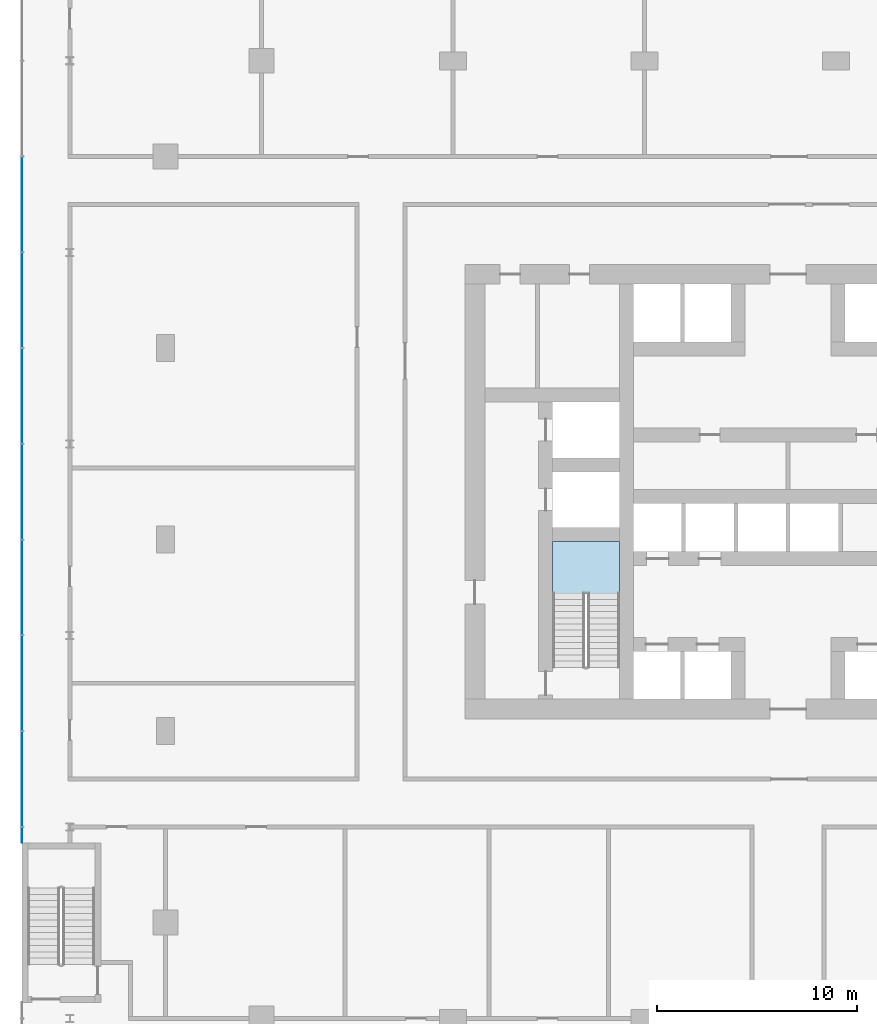
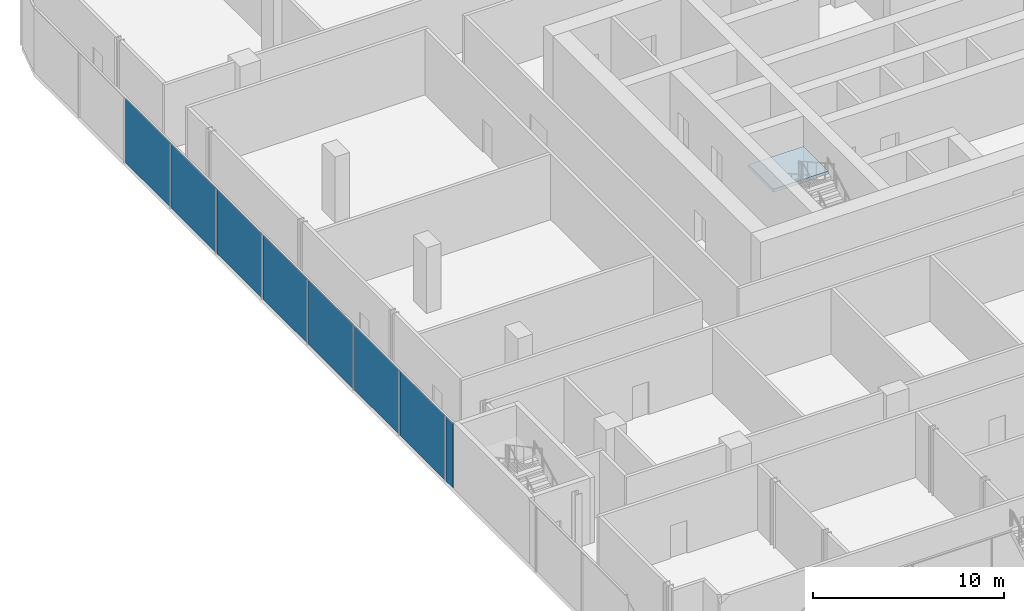
# One storey, part 23 of 38: 8 plates, 1 slab, 2 elements without a shape of their own.
"""IFC4 building model written with IfcOpenShell, lengths in metres."""

from ifc_helpers import new_model, si_unit, direction, frame, origin, origin_2d, place, context, subcontext, project, spatial, polyline, rectangle, outline, extrude, material, layer, layer_set, type_object, element, aggregate, save


model = new_model("IFC4")

# Units and contexts
model_context = context("Model", 3, precision=1e-05, world=origin(), true_north=direction((0.0, 1.0)))
body_context = subcontext(model_context, "Body", "Model", "MODEL_VIEW")
ifc_project = project(units=[si_unit("LENGTHUNIT", "METRE"), si_unit("AREAUNIT", "SQUARE_METRE"), si_unit("VOLUMEUNIT", "CUBIC_METRE"), si_unit("PLANEANGLEUNIT", "RADIAN"), si_unit("MASSUNIT", "GRAM", prefix="KILO")], contexts=[model_context])

# Site, building, storey
site_placement = place(None, origin())
site = spatial("IfcSite", under=ifc_project, at=site_placement, CompositionType="ELEMENT")
building_placement = place(site_placement, origin())
building = spatial("IfcBuilding", under=site, at=building_placement, Name="Madar Terraces", CompositionType="ELEMENT")
storey_placement = place(building_placement, frame((0.0, 0.0, 15.0)))
storey = spatial("IfcBuildingStorey", under=building, at=storey_placement, Name="L03", CompositionType="ELEMENT", Elevation=15.0)

# Curtain wall, plates
ifc_material_1 = material(Name="Glass, clear low-iron, with black aluminium frame", Category="aluminium")
ifc_layer_1 = layer(ifc_material_1, 0.199951171875)
ifc_layer_set_1 = layer_set([ifc_layer_1], Name="Facade curtain wall, shopfront glazing")
curtain_wall_type = type_object("IfcCurtainWallType", Name="Facade curtain wall, shopfront glazing", PredefinedType="NOTDEFINED", material=ifc_layer_set_1)
curtain_wall_placement = place(storey_placement, origin())
curtain_wall = element("IfcCurtainWall", 1, at=curtain_wall_placement, inside=storey, type_object=curtain_wall_type, Name="Outer skin curtain wall west bay 1", PredefinedType="NOTDEFINED")
ifc_material_2 = material(Name="Glass, ceramic frit dark grey", Category="glass")
ifc_layer_2 = layer(ifc_material_2, 0.028076171875)
ifc_layer_set_2 = layer_set([ifc_layer_2], Name="Facade glass panel 28")
plate_type = type_object("IfcPlateType", Name="Facade glass panel 28", PredefinedType="CURTAIN_PANEL", material=ifc_layer_set_2)
plate_1_placement = place(storey_placement, frame((-7.199951171875, 40.800048828125, 0.0), z_axis=(0.0, 0.0, 1.0), x_axis=(0.0, -1.0, 0.0)))
plate_1 = element("IfcPlate", 2, at=plate_1_placement, type_object=plate_type, Name="Panel 3", PredefinedType="CURTAIN_PANEL", context=body_context, shape_type="SweptSolid", body=[
    extrude(rectangle(XDim=4.739990234375, YDim=0.028076171875, at=origin_2d()), origin(), (0.0, 0.0, 1.0), 4.139892578125),
])
plate_2_placement = place(storey_placement, frame((-7.199951171875, 36.0, 0.0), z_axis=(0.0, 0.0, 1.0), x_axis=(0.0, -1.0, 0.0)))
plate_2 = element("IfcPlate", 3, at=plate_2_placement, type_object=plate_type, Name="Panel 4", PredefinedType="CURTAIN_PANEL", context=body_context, shape_type="SweptSolid", body=[
    extrude(rectangle(XDim=4.739990234375, YDim=0.028076171875, at=origin_2d()), origin(), (0.0, 0.0, 1.0), 4.139892578125),
])
plate_3_placement = place(storey_placement, frame((-7.199951171875, 31.199951171875, 0.0), z_axis=(0.0, 0.0, 1.0), x_axis=(0.0, -1.0, 0.0)))
plate_3 = element("IfcPlate", 4, at=plate_3_placement, type_object=plate_type, Name="Panel 5", PredefinedType="CURTAIN_PANEL", context=body_context, shape_type="SweptSolid", body=[
    extrude(rectangle(XDim=4.739990234375, YDim=0.028076171875, at=origin_2d()), origin(), (0.0, 0.0, 1.0), 4.139892578125),
])
plate_4_placement = place(storey_placement, frame((-7.199951171875, 26.39990234375, 0.0), z_axis=(0.0, 0.0, 1.0), x_axis=(0.0, -1.0, 0.0)))
plate_4 = element("IfcPlate", 5, at=plate_4_placement, type_object=plate_type, Name="Panel 6", PredefinedType="CURTAIN_PANEL", context=body_context, shape_type="SweptSolid", body=[
    extrude(rectangle(XDim=4.739990234375, YDim=0.028076171875, at=origin_2d()), origin(), (0.0, 0.0, 1.0), 4.139892578125),
])
plate_5_placement = place(storey_placement, frame((-7.199951171875, 21.60009765625, 0.0), z_axis=(0.0, 0.0, 1.0), x_axis=(0.0, -1.0, 0.0)))
plate_5 = element("IfcPlate", 6, at=plate_5_placement, type_object=plate_type, Name="Panel 7", PredefinedType="CURTAIN_PANEL", context=body_context, shape_type="SweptSolid", body=[
    extrude(rectangle(XDim=4.739990234375, YDim=0.028076171875, at=origin_2d()), origin(), (0.0, 0.0, 1.0), 4.139892578125),
])
plate_6_placement = place(storey_placement, frame((-7.199951171875, 16.800048828125, 0.0), z_axis=(0.0, 0.0, 1.0), x_axis=(0.0, -1.0, 0.0)))
plate_6 = element("IfcPlate", 7, at=plate_6_placement, type_object=plate_type, Name="Panel 8", PredefinedType="CURTAIN_PANEL", context=body_context, shape_type="SweptSolid", body=[
    extrude(rectangle(XDim=4.739990234375, YDim=0.028076171875, at=origin_2d()), origin(), (0.0, 0.0, 1.0), 4.139892578125),
])
plate_7_placement = place(storey_placement, frame((-7.199951171875, 12.0, 0.0), z_axis=(0.0, 0.0, 1.0), x_axis=(0.0, -1.0, 0.0)))
plate_7 = element("IfcPlate", 8, at=plate_7_placement, type_object=plate_type, Name="Panel 9", PredefinedType="CURTAIN_PANEL", context=body_context, shape_type="SweptSolid", body=[
    extrude(rectangle(XDim=4.739990234375, YDim=0.028076171875, at=origin_2d()), origin(), (0.0, 0.0, 1.0), 4.139892578125),
])
plate_8_placement = place(storey_placement, frame((-7.199951171875, 9.18505859375, 0.0), z_axis=(0.0, 0.0, 1.0), x_axis=(0.0, -1.0, 0.0)))
plate_8 = element("IfcPlate", 9, at=plate_8_placement, type_object=plate_type, Name="Panel 10", PredefinedType="CURTAIN_PANEL", context=body_context, shape_type="SweptSolid", body=[
    extrude(rectangle(XDim=0.77001953125, YDim=0.028076171875, at=origin_2d()), origin(), (0.0, 0.0, 1.0), 4.139892578125),
])
aggregate(curtain_wall, [plate_1, plate_2, plate_3, plate_4, plate_5, plate_6, plate_7, plate_8])

# Stair, slab
ifc_material_3 = material(Name="Concrete C50/60", Category="concrete")
stair_type = type_object("IfcStairType", Name="Stair ST1 protected exit", PredefinedType="HALF_TURN_STAIR", material=ifc_material_3)
stair_placement = place(storey_placement, origin())
stair = element("IfcStair", 10, at=stair_placement, inside=storey, type_object=stair_type, Name="L03 Protected Exit Stair ST1", PredefinedType="HALF_TURN_STAIR")
ifc_material_4 = material(Name="Concrete C50/60", Category="concrete")
ifc_layer_3 = layer(ifc_material_4, 0.199951171875)
ifc_layer_set_3 = layer_set([ifc_layer_3], Name="Stair landing 200, top +2.25")
slab_type = type_object("IfcSlabType", Name="Stair landing 200, top +2.25", PredefinedType="LANDING", material=ifc_layer_set_3)
slab_placement = place(storey_placement, frame((0.0, 0.0, 2.050048828125)))
slab = element("IfcSlab", 11, at=slab_placement, type_object=slab_type, Name="ST1 landing 1", PredefinedType="LANDING", context=body_context, shape_type="SweptSolid", body=[
    extrude(outline(polyline([(19.39990234375, 21.2900390625), (22.75, 21.2900390625), (22.75, 23.89990234375), (19.39990234375, 23.89990234375), (19.39990234375, 21.2900390625)])), origin(), (0.0, 0.0, 1.0), 0.199951171875),
])
aggregate(stair, [slab])

save(model, "model.ifc")
